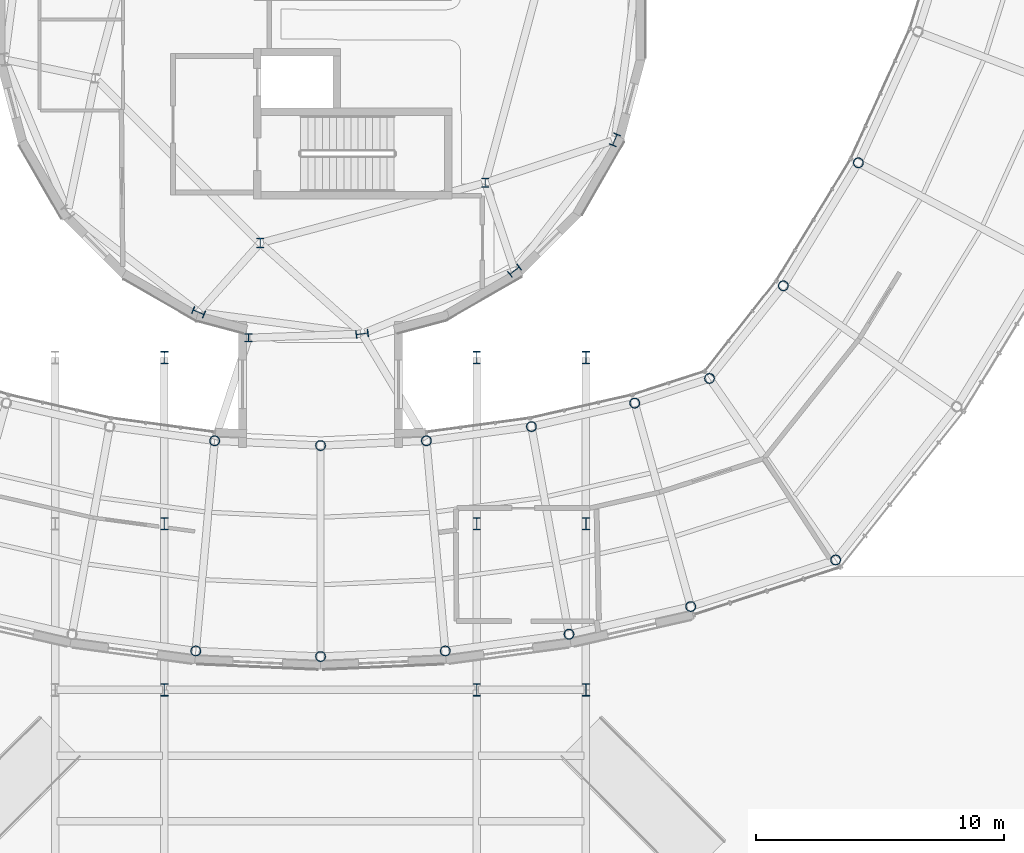
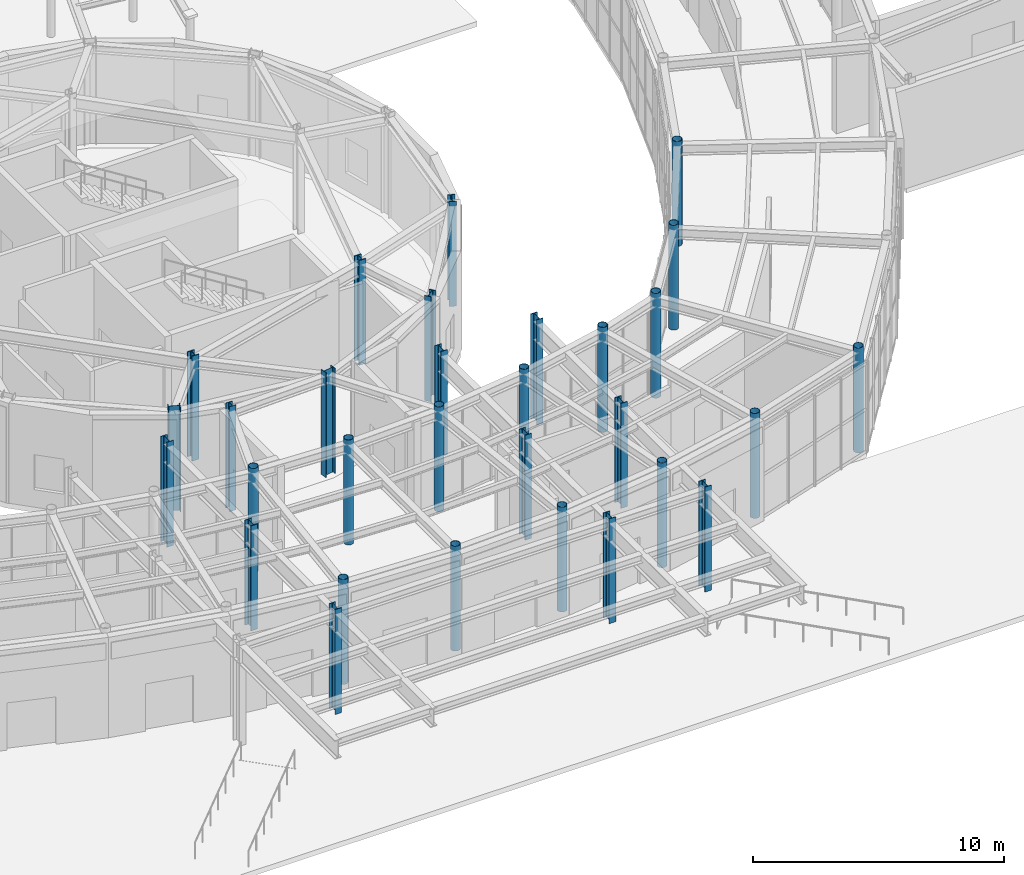
# One storey, part 5 of 97: 30 columns.
"""IFC4 building model written with IfcOpenShell, lengths in metres."""

from ifc_helpers import new_model, si_unit, direction, frame, origin, origin_2d, place, context, subcontext, project, spatial, hollow_circle, i_section, extrude, material, material_profile, profile_set, type_object, element, save


model = new_model("IFC4")

# Units and contexts
model_context = context("Model", 3, precision=1e-05, world=origin(), true_north=direction((0.0, 1.0)))
body_context = subcontext(model_context, "Body", "Model", "MODEL_VIEW")
ifc_project = project(units=[si_unit("LENGTHUNIT", "METRE"), si_unit("AREAUNIT", "SQUARE_METRE"), si_unit("VOLUMEUNIT", "CUBIC_METRE"), si_unit("PLANEANGLEUNIT", "RADIAN"), si_unit("MASSUNIT", "GRAM", prefix="KILO")], contexts=[model_context])

# Site, building, storey
site_placement = place(None, origin())
site = spatial("IfcSite", under=ifc_project, at=site_placement, CompositionType="ELEMENT")
building_placement = place(site_placement, origin())
building = spatial("IfcBuilding", under=site, at=building_placement, Name="Varnklinge Art Gallery", CompositionType="ELEMENT")
storey_placement = place(building_placement, origin())
storey = spatial("IfcBuildingStorey", under=building, at=storey_placement, Name="L00", CompositionType="ELEMENT", Elevation=0.0)

# Columns
ifc_material_1 = material(Name="Steel S355", Category="steel")
ifc_material_profile_1 = material_profile(ifc_material_1, i_section(OverallWidth=0.30810546875, OverallDepth=0.39501953125, WebThickness=0.02099609375, FlangeThickness=0.0400390625, FilletRadius=0.027099609375, at=origin_2d()), Name="HEM 360")
ifc_profile_set_1 = profile_set([ifc_material_profile_1], Name="Steel S355")
column_type_1 = type_object("IfcColumnType", Name="COL-03", PredefinedType="COLUMN", material=ifc_profile_set_1)
for number, where, z_axis, x_axis, name in (
    (1, (73.067138671875, 29.42041015625, 0.0), (0.0, 0.0, 1.0), (1.0, 0.0, 0.0), "L00 Column V4CI-5"),
    (2, (82.146728515625, 31.853271484375, 0.0), (0.0, 0.0, 1.0), (1.0, 0.0, 0.0), "L00 Column V4CI-6"),
):
    element("IfcColumn", number, at=place(storey_placement, frame(where, z_axis=z_axis, x_axis=x_axis)), inside=storey, type_object=column_type_1, Name=name, PredefinedType="COLUMN", context=body_context, shape_type="SweptSolid", body=[
        extrude(i_section(OverallWidth=0.30810546875, OverallDepth=0.39501953125, WebThickness=0.02099609375, FlangeThickness=0.0400390625, FilletRadius=0.027099609375, at=origin_2d()), origin(), (0.0, 0.0, 1.0), 5.10009765625),
    ])
ifc_material_2 = material(Name="Steel S355", Category="steel")
ifc_material_profile_2 = material_profile(ifc_material_2, i_section(OverallWidth=0.300048828125, OverallDepth=0.320068359375, WebThickness=0.011474609375, FlangeThickness=0.0205078125, FilletRadius=0.027099609375, at=origin_2d()), Name="HEB 320")
ifc_profile_set_2 = profile_set([ifc_material_profile_2], Name="Steel S355")
column_type_2 = type_object("IfcColumnType", Name="COL-09", PredefinedType="COLUMN", material=ifc_profile_set_2)
column_placement = place(storey_placement, frame((72.60009765625, 25.60009765625, 0.0), z_axis=(0.0, 0.0, 1.0), x_axis=(1.0, 0.0, 0.0)))
element("IfcColumn", 3, at=column_placement, inside=storey, type_object=column_type_2, Name="L00 Column LNK-V4S-C4", PredefinedType="COLUMN", context=body_context, shape_type="SweptSolid", body=[
    extrude(i_section(OverallWidth=0.300048828125, OverallDepth=0.320068359375, WebThickness=0.011474609375, FlangeThickness=0.0205078125, FilletRadius=0.027099609375, at=origin_2d()), origin(), (0.0, 0.0, 1.0), 5.10009765625),
])
ifc_material_3 = material(Name="Steel S355", Category="steel")
ifc_material_profile_3 = material_profile(ifc_material_3, i_section(OverallWidth=0.300048828125, OverallDepth=0.5, WebThickness=0.014404296875, FlangeThickness=0.028076171875, FilletRadius=0.027099609375, at=origin_2d()), Name="HEB 500")
ifc_profile_set_3 = profile_set([ifc_material_profile_3], Name="Steel S355")
column_type_3 = type_object("IfcColumnType", Name="COL-E1", PredefinedType="COLUMN", material=ifc_profile_set_3)
for number, where, z_axis, x_axis, name in (
    (4, (70.58251953125, 26.628173828125, 0.0), (0.0, 0.0, 1.0), (-0.382683432365, -0.923879532511, 0.0), "L00 Column V4CP-09"),
    (5, (77.17724609375, 25.760009765625, 0.0), (0.0, 0.0, 1.0), (0.13052619222, -0.991444861374, 0.0), "L00 Column V4CP-10"),
    (6, (83.322509765625, 28.305419921875, 0.0), (0.0, 0.0, 1.0), (0.608761429009, -0.793353340291, 0.0), "L00 Column V4CP-11"),
    (7, (87.371826171875, 33.58251953125, 0.0), (0.0, 0.0, 1.0), (0.923879532511, -0.382683432365, 0.0), "L00 Column V4CP-12"),
    (8, (69.199951171875, 11.39990234375, 0.0), (0.0, 0.0, 1.0), (1.0, 0.0, 0.0), "L00 Column CAN-FC-2"),
    (9, (69.199951171875, 18.10009765625, 0.0), (0.0, 0.0, 1.0), (1.0, 0.0, 0.0), "L00 Column CAN-MB-2"),
    (10, (69.199951171875, 24.800048828125, 0.0), (0.0, 0.0, 1.0), (1.0, 0.0, 0.0), "L00 Column CAN-BK-2"),
    (11, (81.800048828125, 11.39990234375, 0.0), (0.0, 0.0, 1.0), (1.0, 0.0, 0.0), "L00 Column CAN-FC-3"),
    (12, (81.800048828125, 18.10009765625, 0.0), (0.0, 0.0, 1.0), (1.0, 0.0, 0.0), "L00 Column CAN-MB-3"),
    (13, (81.800048828125, 24.800048828125, 0.0), (0.0, 0.0, 1.0), (1.0, 0.0, 0.0), "L00 Column CAN-BK-3"),
    (14, (86.199951171875, 11.39990234375, 0.0), (0.0, 0.0, 1.0), (1.0, 0.0, 0.0), "L00 Column CAN-FC-4"),
    (15, (86.199951171875, 18.10009765625, 0.0), (0.0, 0.0, 1.0), (1.0, 0.0, 0.0), "L00 Column CAN-MB-4"),
    (16, (86.199951171875, 24.800048828125, 0.0), (0.0, 0.0, 1.0), (1.0, 0.0, 0.0), "L00 Column CAN-BK-4"),
):
    element("IfcColumn", number, at=place(storey_placement, frame(where, z_axis=z_axis, x_axis=x_axis)), inside=storey, type_object=column_type_3, Name=name, PredefinedType="COLUMN", context=body_context, shape_type="SweptSolid", body=[
        extrude(i_section(OverallWidth=0.300048828125, OverallDepth=0.5, WebThickness=0.014404296875, FlangeThickness=0.028076171875, FilletRadius=0.027099609375, at=origin_2d()), origin(), (0.0, 0.0, 1.0), 5.10009765625),
    ])
ifc_material_4 = material(Name="Steel S355", Category="steel")
ifc_material_profile_4 = material_profile(ifc_material_4, hollow_circle(Radius=0.203125, WallThickness=0.02001953125, at=origin_2d()), Name="CHS 406.4x20")
ifc_profile_set_4 = profile_set([ifc_material_profile_4], Name="Steel S355")
column_type_4 = type_object("IfcColumnType", Name="COL-E5", PredefinedType="COLUMN", material=ifc_profile_set_4)
for number, where, z_axis, x_axis, name in (
    (17, (96.27099609375, 16.64013671875, 0.0), (0.0, 0.0, 1.0), (-0.570570241419, 0.821248804935, 0.0), "L00 Column V2CO-01"),
    (18, (91.185791015625, 23.958984375, 0.0), (0.0, 0.0, 1.0), (-0.570570241419, 0.821248804935, 0.0), "L00 Column V2CI-01"),
    (19, (94.1630859375, 27.6962890625, 0.0), (0.0, 0.0, 1.0), (-0.820351542489, 0.571859551582, 0.0), "L00 Column V2CI-02"),
    (20, (97.189697265625, 32.655517578125, 0.0), (0.0, 0.0, 1.0), (-0.883683947469, 0.468084053333, 0.0), "L00 Column V2CI-03"),
    (21, (70.4697265625, 12.970703125, 0.0), (0.0, 0.0, 1.0), (0.089415810539, 0.995994383933, 0.0), "L00 Column V2CO-36"),
    (22, (71.230712890625, 21.44580078125, 0.0), (0.0, 0.0, 1.0), (0.089415810539, 0.995994383933, 0.0), "L00 Column V2CI-36"),
    (23, (75.5, 12.745361328125, 0.0), (0.0, 0.0, 1.0), (0.0, 1.0, 0.0), "L00 Column V2CO-37"),
    (24, (75.5, 21.254638671875, 0.0), (0.0, 0.0, 1.0), (0.0, 1.0, 0.0), "L00 Column V2CI-37"),
    (25, (80.5302734375, 12.970703125, 0.0), (0.0, 0.0, 1.0), (-0.089415810539, 0.995994383933, 0.0), "L00 Column V2CO-38"),
    (26, (79.769287109375, 21.44580078125, 0.0), (0.0, 0.0, 1.0), (-0.089415810539, 0.995994383933, 0.0), "L00 Column V2CI-38"),
    (27, (85.520263671875, 13.64501953125, 0.0), (0.0, 0.0, 1.0), (-0.178115290264, 0.984009625651, 0.0), "L00 Column V2CO-39"),
    (28, (84.00439453125, 22.018310546875, 0.0), (0.0, 0.0, 1.0), (-0.178115290264, 0.984009625651, 0.0), "L00 Column V2CI-39"),
    (29, (90.4296875, 14.7626953125, 0.0), (0.0, 0.0, 1.0), (-0.265387847052, 0.964141737836, 0.0), "L00 Column V2CO-40"),
    (30, (88.17138671875, 22.966796875, 0.0), (0.0, 0.0, 1.0), (-0.265387847052, 0.964141737836, 0.0), "L00 Column V2CI-40"),
):
    element("IfcColumn", number, at=place(storey_placement, frame(where, z_axis=z_axis, x_axis=x_axis)), inside=storey, type_object=column_type_4, Name=name, PredefinedType="COLUMN", context=body_context, shape_type="SweptSolid", body=[
        extrude(hollow_circle(Radius=0.203125, WallThickness=0.02001953125, at=origin_2d()), origin(), (0.0, 0.0, 1.0), 5.10009765625),
    ])

save(model, "model.ifc")
